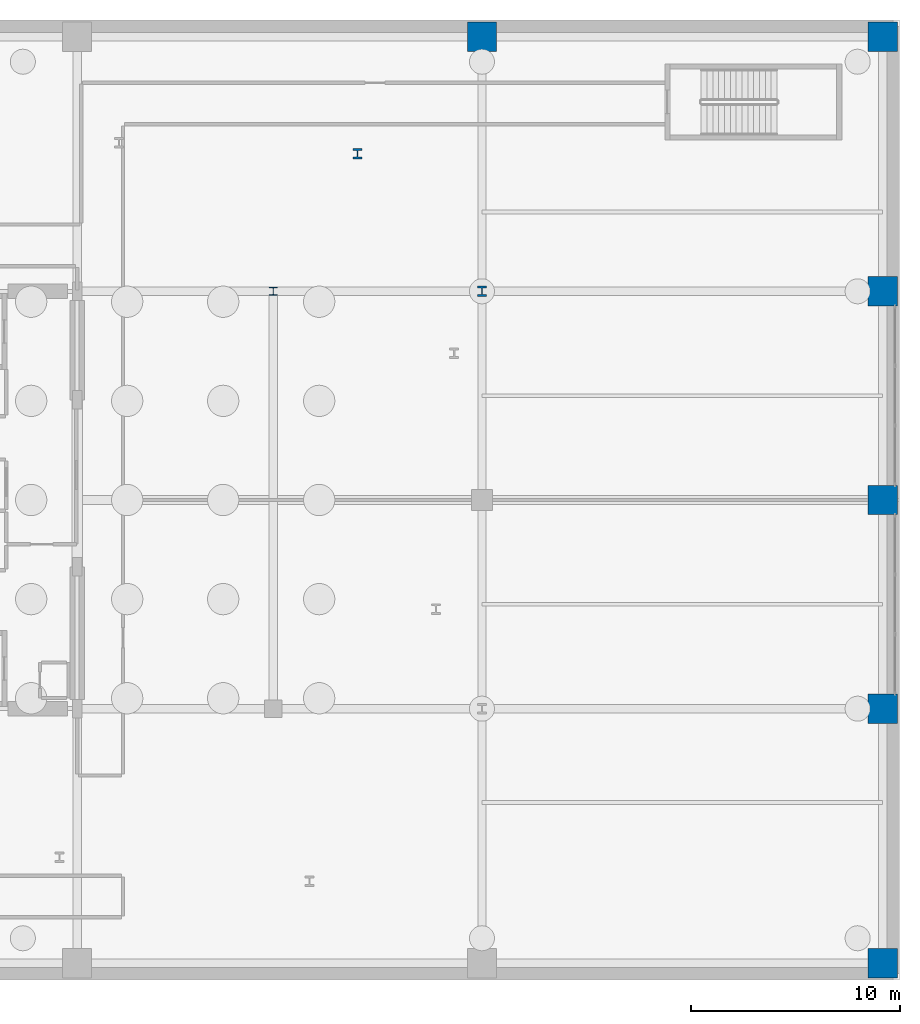
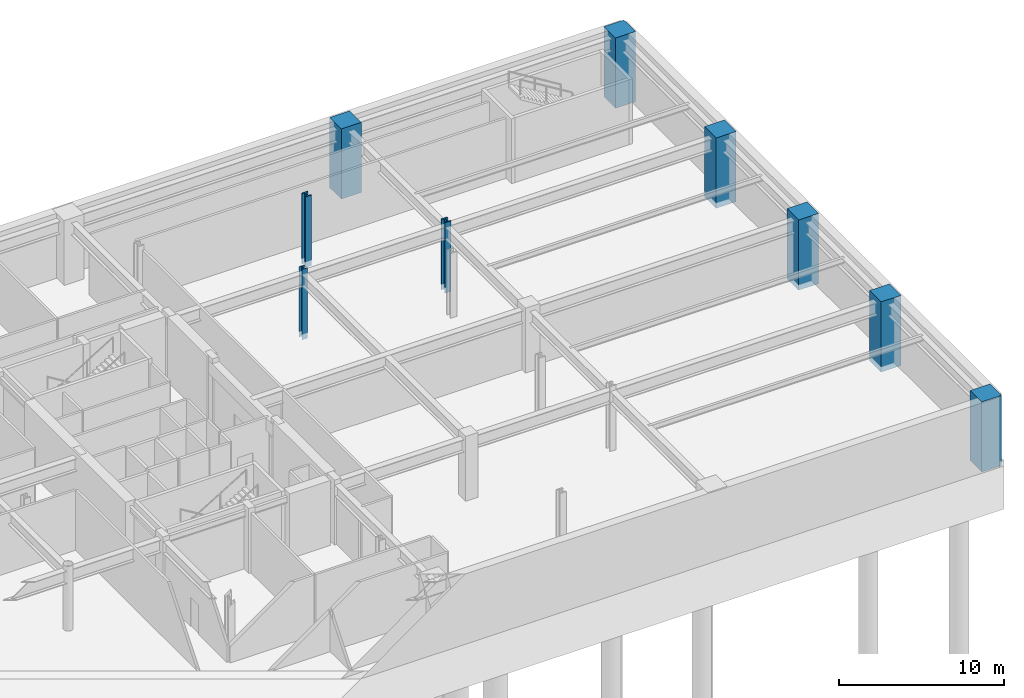
# One storey, part 4 of 25: 9 columns.
"""IFC4 building model written with IfcOpenShell, lengths in metres."""

from ifc_helpers import new_model, si_unit, direction, frame, origin, origin_2d, place, context, subcontext, project, spatial, rectangle, i_section, extrude, material, material_profile, profile_set, type_object, element, save


model = new_model("IFC4")

# Units and contexts
model_context = context("Model", 3, precision=1e-05, world=origin(), true_north=direction((0.0, 1.0)))
body_context = subcontext(model_context, "Body", "Model", "MODEL_VIEW")
ifc_project = project(units=[si_unit("LENGTHUNIT", "METRE"), si_unit("AREAUNIT", "SQUARE_METRE"), si_unit("VOLUMEUNIT", "CUBIC_METRE"), si_unit("PLANEANGLEUNIT", "RADIAN"), si_unit("MASSUNIT", "GRAM", prefix="KILO")], contexts=[model_context])

# Site, building, storey
site_placement = place(None, origin())
site = spatial("IfcSite", under=ifc_project, at=site_placement, CompositionType="ELEMENT")
building_placement = place(site_placement, origin())
building = spatial("IfcBuilding", under=site, at=building_placement, Name="Soratama Intermodal Tower", CompositionType="ELEMENT")
storey_placement = place(building_placement, frame((0.0, 0.0, -10.199951171875)))
storey = spatial("IfcBuildingStorey", under=building, at=storey_placement, Name="B2", CompositionType="ELEMENT", Elevation=-10.199951171875)

# Columns
ifc_material_1 = material(Name="Structural steel ASTM A992 Grade 50", Category="steel")
ifc_material_profile_1 = material_profile(ifc_material_1, i_section(OverallWidth=0.39404296875, OverallDepth=0.375, WebThickness=0.017333984375, FlangeThickness=0.027587890625, FilletRadius=0.0380859375, at=origin_2d()), Name="W14X145")
ifc_profile_set_1 = profile_set([ifc_material_profile_1], Name="Structural steel ASTM A992 Grade 50")
column_type_1 = type_object("IfcColumnType", Name="COL-INT-W14X145", PredefinedType="COLUMN", material=ifc_profile_set_1)
column_placement = place(storey_placement, frame((54.0, 35.0, -0.400146484375), z_axis=(0.0, 0.0, 1.0), x_axis=(1.0, 0.0, 0.0)))
element("IfcColumn", 1, at=column_placement, inside=storey, type_object=column_type_1, Name="B2 Station Column P26", PredefinedType="COLUMN", context=body_context, shape_type="SweptSolid", body=[
    extrude(i_section(OverallWidth=0.39404296875, OverallDepth=0.375, WebThickness=0.017333984375, FlangeThickness=0.027587890625, FilletRadius=0.0380859375, at=origin_2d()), origin(), (0.0, 0.0, 1.0), 5.2001953125),
])
ifc_material_2 = material(Name="Concrete f'c 56 MPa", Category="concrete")
ifc_material_profile_2 = material_profile(ifc_material_2, rectangle(XDim=1.39990234375, YDim=1.39990234375, at=origin_2d()), Name="RC1400X1400")
ifc_profile_set_2 = profile_set([ifc_material_profile_2], Name="Concrete f'c 56 MPa")
column_type_2 = type_object("IfcColumnType", Name="COL-POD-EXT-RC1400", PredefinedType="COLUMN", material=ifc_profile_set_2)
for number, where, z_axis, x_axis, name in (
    (2, (83.199951171875, 2.800048828125, -0.400146484375), (0.0, 0.0, 1.0), (1.0, 0.0, 0.0), "B2 Station Column P04"),
    (3, (83.199951171875, 15.0, -0.400146484375), (0.0, 0.0, 1.0), (1.0, 0.0, 0.0), "B2 Station Column P08"),
    (4, (83.199951171875, 35.0, -0.400146484375), (0.0, 0.0, 1.0), (1.0, 0.0, 0.0), "B2 Station Column P12"),
    (5, (64.0, 47.199951171875, -0.400146484375), (0.0, 0.0, 1.0), (1.0, 0.0, 0.0), "B2 Station Column P15"),
    (6, (83.199951171875, 47.199951171875, -0.400146484375), (0.0, 0.0, 1.0), (1.0, 0.0, 0.0), "B2 Station Column P16"),
    (7, (83.199951171875, 25.0, -0.400146484375), (0.0, 0.0, 1.0), (1.0, 0.0, 0.0), "B2 Station Column P20"),
):
    element("IfcColumn", number, at=place(storey_placement, frame(where, z_axis=z_axis, x_axis=x_axis)), inside=storey, type_object=column_type_2, Name=name, PredefinedType="COLUMN", context=body_context, shape_type="SweptSolid", body=[
        extrude(rectangle(XDim=1.39990234375, YDim=1.39990234375, at=origin_2d()), origin(), (0.0, 0.0, 1.0), 5.2001953125),
    ])
ifc_material_3 = material(Name="Structural steel ASTM A992 Grade 50", Category="steel")
ifc_material_profile_3 = material_profile(ifc_material_3, i_section(OverallWidth=0.431884765625, OverallDepth=0.498046875, WebThickness=0.0556640625, FlangeThickness=0.0888671875, FilletRadius=0.0380859375, at=origin_2d()), Name="W14X500")
ifc_profile_set_3 = profile_set([ifc_material_profile_3], Name="Structural steel ASTM A992 Grade 50")
column_type_3 = type_object("IfcColumnType", Name="COL-POD-W14X500", PredefinedType="COLUMN", material=ifc_profile_set_3)
for number, where, z_axis, x_axis, name in (
    (8, (64.0, 35.0, -0.400146484375), (0.0, 0.0, 1.0), (1.0, 0.0, 0.0), "B2 Station Column P11"),
    (9, (58.031982421875, 41.594970703125, -0.400146484375), (0.0, 0.0, 1.0), (1.0, 0.0, 0.0), "B2 Station Column P30"),
):
    element("IfcColumn", number, at=place(storey_placement, frame(where, z_axis=z_axis, x_axis=x_axis)), inside=storey, type_object=column_type_3, Name=name, PredefinedType="COLUMN", context=body_context, shape_type="SweptSolid", body=[
        extrude(i_section(OverallWidth=0.431884765625, OverallDepth=0.498046875, WebThickness=0.0556640625, FlangeThickness=0.0888671875, FilletRadius=0.0380859375, at=origin_2d()), origin(), (0.0, 0.0, 1.0), 5.2001953125),
    ])

save(model, "model.ifc")
